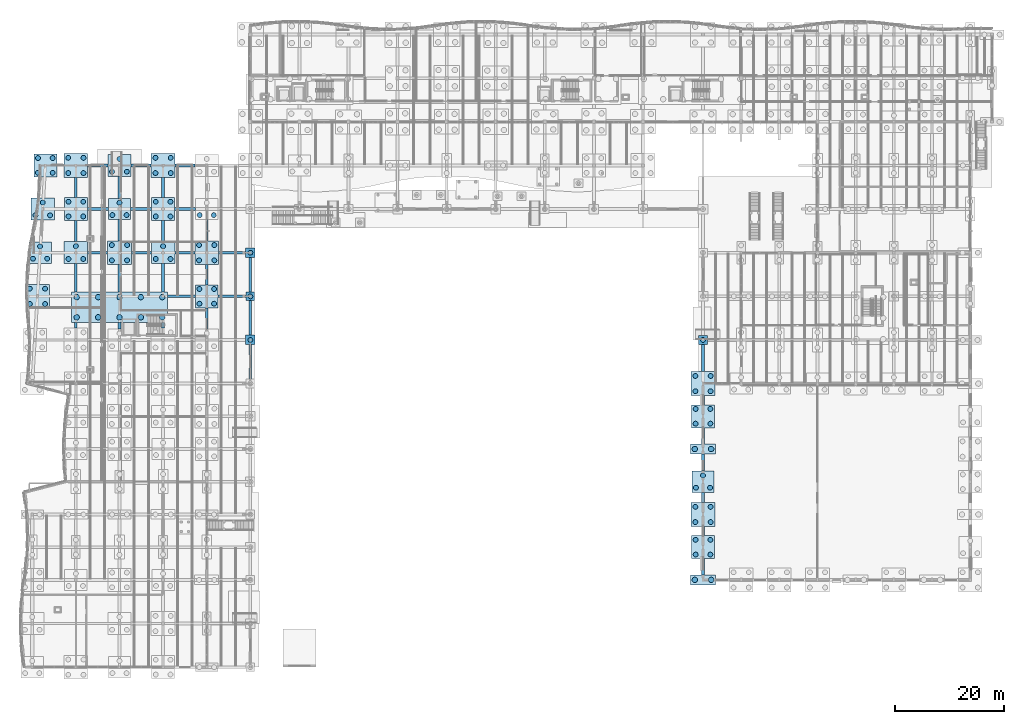
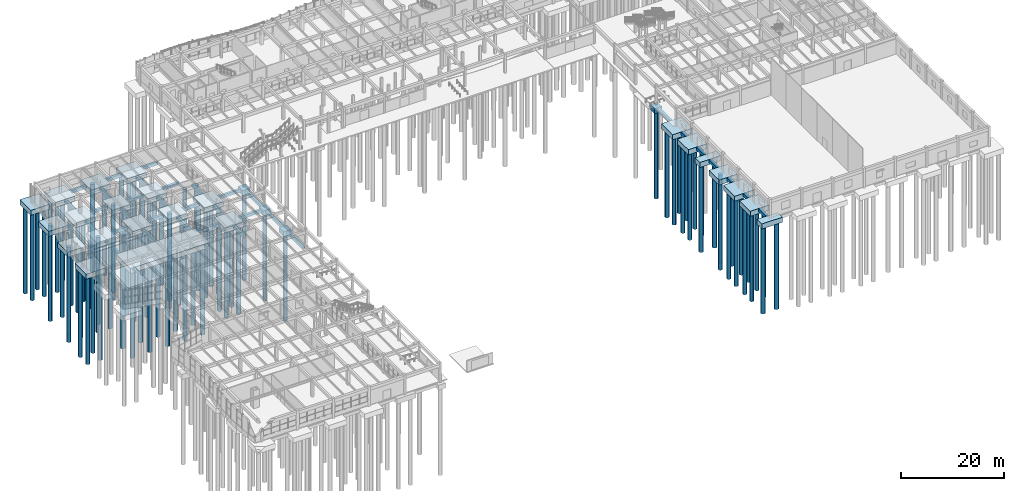
# One storey, part 3 of 99: 93 piles, 64 footings.
"""IFC4 building model written with IfcOpenShell, lengths in metres."""

from ifc_helpers import new_model, si_unit, direction, frame, origin, origin_2d, place, context, subcontext, project, spatial, rectangle, circle, extrude, material, material_profile, profile_set, type_object, element, save


model = new_model("IFC4")

# Units and contexts
model_context = context("Model", 3, precision=1e-05, world=origin(), true_north=direction((0.0, 1.0)))
body_context = subcontext(model_context, "Body", "Model", "MODEL_VIEW")
ifc_project = project(units=[si_unit("LENGTHUNIT", "METRE"), si_unit("AREAUNIT", "SQUARE_METRE"), si_unit("VOLUMEUNIT", "CUBIC_METRE"), si_unit("PLANEANGLEUNIT", "RADIAN"), si_unit("MASSUNIT", "GRAM", prefix="KILO")], contexts=[model_context])

# Site, building, storey
site_placement = place(None, origin())
site = spatial("IfcSite", under=ifc_project, at=site_placement, CompositionType="ELEMENT")
building_placement = place(site_placement, origin())
building = spatial("IfcBuilding", under=site, at=building_placement, Name="Tonlespit Floodbar School", CompositionType="ELEMENT")
storey_placement = place(building_placement, origin())
storey = spatial("IfcBuildingStorey", under=building, at=storey_placement, Name="L00", CompositionType="ELEMENT", Elevation=0.0)

# Footings
ifc_material_1 = material(Name="Concrete C40/50", Category="concrete")
footing_type_1 = type_object("IfcFootingType", Name="FootingBeam_RC_500x700", PredefinedType="FOOTING_BEAM", material=ifc_material_1)
for number, where, z_axis, x_axis, name in (
    (1, (31.35009765625, 72.0, -0.89990234375), (0.0, 0.0, 1.0), (1.0, 0.0, 0.0), "Ground tie beam FB-065"),
    (2, (40.64990234375, 72.0, -0.89990234375), (0.0, 0.0, 1.0), (1.0, 0.0, 0.0), "Ground tie beam FB-066"),
):
    element("IfcFooting", number, at=place(storey_placement, frame(where, z_axis=z_axis, x_axis=x_axis)), inside=storey, type_object=footing_type_1, Name=name, PredefinedType="FOOTING_BEAM", context=body_context, shape_type="SweptSolid", body=[
        extrude(rectangle(XDim=5.10009765625, YDim=0.5, at=origin_2d()), origin(), (0.0, 0.0, 1.0), 0.699951171875),
    ])
for number, where, z_axis, x_axis, name in (
    (3, (15.987548828125, 80.0, -0.89990234375), (0.0, 0.0, 1.0), (1.0, 0.0, 0.0), "Ground tie beam FB-073"),
    (4, (24.012451171875, 80.0, -0.89990234375), (0.0, 0.0, 1.0), (1.0, 0.0, 0.0), "Ground tie beam FB-074"),
    (5, (31.987548828125, 80.0, -0.89990234375), (0.0, 0.0, 1.0), (1.0, 0.0, 0.0), "Ground tie beam FB-075"),
):
    element("IfcFooting", number, at=place(storey_placement, frame(where, z_axis=z_axis, x_axis=x_axis)), inside=storey, type_object=footing_type_1, Name=name, PredefinedType="FOOTING_BEAM", context=body_context, shape_type="SweptSolid", body=[
        extrude(rectangle(XDim=3.675048828125, YDim=0.5, at=origin_2d()), origin(), (0.0, 0.0, 1.0), 0.699951171875),
    ])
footing_1_placement = place(storey_placement, frame((40.64990234375, 80.0, -0.89990234375), z_axis=(0.0, 0.0, 1.0), x_axis=(1.0, 0.0, 0.0)))
element("IfcFooting", 6, at=footing_1_placement, inside=storey, type_object=footing_type_1, Name="Ground tie beam FB-076", PredefinedType="FOOTING_BEAM", context=body_context, shape_type="SweptSolid", body=[
    extrude(rectangle(XDim=4.949951171875, YDim=0.5, at=origin_2d()), origin(), (0.0, 0.0, 1.0), 0.699951171875),
])
for number, where, z_axis, x_axis, name in (
    (7, (16.02490234375, 88.0, -0.89990234375), (0.0, 0.0, 1.0), (1.0, 0.0, 0.0), "Ground tie beam FB-084"),
    (8, (23.97509765625, 88.0, -0.89990234375), (0.0, 0.0, 1.0), (1.0, 0.0, 0.0), "Ground tie beam FB-085"),
    (9, (32.02490234375, 88.0, -0.89990234375), (0.0, 0.0, 1.0), (1.0, 0.0, 0.0), "Ground tie beam FB-086"),
):
    element("IfcFooting", number, at=place(storey_placement, frame(where, z_axis=z_axis, x_axis=x_axis)), inside=storey, type_object=footing_type_1, Name=name, PredefinedType="FOOTING_BEAM", context=body_context, shape_type="SweptSolid", body=[
        extrude(rectangle(XDim=3.85009765625, YDim=0.5, at=origin_2d()), origin(), (0.0, 0.0, 1.0), 0.699951171875),
    ])
for number, where, z_axis, x_axis, name in (
    (10, (16.012451171875, 96.0, -0.89990234375), (0.0, 0.0, 1.0), (1.0, 0.0, 0.0), "Ground tie beam FB-101"),
    (11, (23.987548828125, 96.0, -0.89990234375), (0.0, 0.0, 1.0), (1.0, 0.0, 0.0), "Ground tie beam FB-102"),
    (12, (32.012451171875, 96.0, -0.89990234375), (0.0, 0.0, 1.0), (1.0, 0.0, 0.0), "Ground tie beam FB-103"),
):
    element("IfcFooting", number, at=place(storey_placement, frame(where, z_axis=z_axis, x_axis=x_axis)), inside=storey, type_object=footing_type_1, Name=name, PredefinedType="FOOTING_BEAM", context=body_context, shape_type="SweptSolid", body=[
        extrude(rectangle(XDim=3.675048828125, YDim=0.5, at=origin_2d()), origin(), (0.0, 0.0, 1.0), 0.699951171875),
    ])
footing_2_placement = place(storey_placement, frame((12.0, 66.6875, -0.89990234375), z_axis=(0.0, 0.0, 1.0), x_axis=(0.0, 1.0, 0.0)))
element("IfcFooting", 13, at=footing_2_placement, inside=storey, type_object=footing_type_1, Name="Ground tie beam FB-174", PredefinedType="FOOTING_BEAM", context=body_context, shape_type="SweptSolid", body=[
    extrude(rectangle(XDim=1.02490234375, YDim=0.5, at=origin_2d()), origin(), (0.0, 0.0, 1.0), 0.699951171875),
])
footing_3_placement = place(storey_placement, frame((12.0, 75.387451171875, -0.89990234375), z_axis=(0.0, 0.0, 1.0), x_axis=(0.0, 1.0, 0.0)))
element("IfcFooting", 14, at=footing_3_placement, inside=storey, type_object=footing_type_1, Name="Ground tie beam FB-175", PredefinedType="FOOTING_BEAM", context=body_context, shape_type="SweptSolid", body=[
    extrude(rectangle(XDim=5.175048828125, YDim=0.5, at=origin_2d()), origin(), (0.0, 0.0, 1.0), 0.699951171875),
])
footing_4_placement = place(storey_placement, frame((12.0, 83.96240234375, -0.89990234375), z_axis=(0.0, 0.0, 1.0), x_axis=(0.0, 1.0, 0.0)))
element("IfcFooting", 15, at=footing_4_placement, inside=storey, type_object=footing_type_1, Name="Ground tie beam FB-176", PredefinedType="FOOTING_BEAM", context=body_context, shape_type="SweptSolid", body=[
    extrude(rectangle(XDim=3.875, YDim=0.5, at=origin_2d()), origin(), (0.0, 0.0, 1.0), 0.699951171875),
])
footing_5_placement = place(storey_placement, frame((12.0, 91.96240234375, -0.89990234375), z_axis=(0.0, 0.0, 1.0), x_axis=(0.0, 1.0, 0.0)))
element("IfcFooting", 16, at=footing_5_placement, inside=storey, type_object=footing_type_1, Name="Ground tie beam FB-177", PredefinedType="FOOTING_BEAM", context=body_context, shape_type="SweptSolid", body=[
    extrude(rectangle(XDim=3.72509765625, YDim=0.5, at=origin_2d()), origin(), (0.0, 0.0, 1.0), 0.699951171875),
])
footing_6_placement = place(storey_placement, frame((20.0, 66.612548828125, -0.89990234375), z_axis=(0.0, 0.0, 1.0), x_axis=(0.0, 1.0, 0.0)))
element("IfcFooting", 17, at=footing_6_placement, inside=storey, type_object=footing_type_1, Name="Ground tie beam FB-187", PredefinedType="FOOTING_BEAM", context=body_context, shape_type="SweptSolid", body=[
    extrude(rectangle(XDim=1.175048828125, YDim=0.5, at=origin_2d()), origin(), (0.0, 0.0, 1.0), 0.699951171875),
])
footing_7_placement = place(storey_placement, frame((20.0, 75.3125, -0.89990234375), z_axis=(0.0, 0.0, 1.0), x_axis=(0.0, 1.0, 0.0)))
element("IfcFooting", 18, at=footing_7_placement, inside=storey, type_object=footing_type_1, Name="Ground tie beam FB-188", PredefinedType="FOOTING_BEAM", context=body_context, shape_type="SweptSolid", body=[
    extrude(rectangle(XDim=5.02490234375, YDim=0.5, at=origin_2d()), origin(), (0.0, 0.0, 1.0), 0.699951171875),
])
footing_8_placement = place(storey_placement, frame((20.0, 84.112548828125, -0.89990234375), z_axis=(0.0, 0.0, 1.0), x_axis=(0.0, 1.0, 0.0)))
element("IfcFooting", 19, at=footing_8_placement, inside=storey, type_object=footing_type_1, Name="Ground tie beam FB-189", PredefinedType="FOOTING_BEAM", context=body_context, shape_type="SweptSolid", body=[
    extrude(rectangle(XDim=3.875, YDim=0.5, at=origin_2d()), origin(), (0.0, 0.0, 1.0), 0.699951171875),
])
footing_9_placement = place(storey_placement, frame((20.0, 91.96240234375, -0.89990234375), z_axis=(0.0, 0.0, 1.0), x_axis=(0.0, 1.0, 0.0)))
element("IfcFooting", 20, at=footing_9_placement, inside=storey, type_object=footing_type_1, Name="Ground tie beam FB-190", PredefinedType="FOOTING_BEAM", context=body_context, shape_type="SweptSolid", body=[
    extrude(rectangle(XDim=4.02490234375, YDim=0.5, at=origin_2d()), origin(), (0.0, 0.0, 1.0), 0.699951171875),
])
footing_10_placement = place(storey_placement, frame((28.0, 66.6875, -0.89990234375), z_axis=(0.0, 0.0, 1.0), x_axis=(0.0, 1.0, 0.0)))
element("IfcFooting", 21, at=footing_10_placement, inside=storey, type_object=footing_type_1, Name="Ground tie beam FB-200", PredefinedType="FOOTING_BEAM", context=body_context, shape_type="SweptSolid", body=[
    extrude(rectangle(XDim=1.02490234375, YDim=0.5, at=origin_2d()), origin(), (0.0, 0.0, 1.0), 0.699951171875),
])
footing_11_placement = place(storey_placement, frame((28.0, 75.387451171875, -0.89990234375), z_axis=(0.0, 0.0, 1.0), x_axis=(0.0, 1.0, 0.0)))
element("IfcFooting", 22, at=footing_11_placement, inside=storey, type_object=footing_type_1, Name="Ground tie beam FB-201", PredefinedType="FOOTING_BEAM", context=body_context, shape_type="SweptSolid", body=[
    extrude(rectangle(XDim=5.175048828125, YDim=0.5, at=origin_2d()), origin(), (0.0, 0.0, 1.0), 0.699951171875),
])
footing_12_placement = place(storey_placement, frame((28.0, 83.96240234375, -0.89990234375), z_axis=(0.0, 0.0, 1.0), x_axis=(0.0, 1.0, 0.0)))
element("IfcFooting", 23, at=footing_12_placement, inside=storey, type_object=footing_type_1, Name="Ground tie beam FB-202", PredefinedType="FOOTING_BEAM", context=body_context, shape_type="SweptSolid", body=[
    extrude(rectangle(XDim=3.875, YDim=0.5, at=origin_2d()), origin(), (0.0, 0.0, 1.0), 0.699951171875),
])
footing_13_placement = place(storey_placement, frame((28.0, 91.96240234375, -0.89990234375), z_axis=(0.0, 0.0, 1.0), x_axis=(0.0, 1.0, 0.0)))
element("IfcFooting", 24, at=footing_13_placement, inside=storey, type_object=footing_type_1, Name="Ground tie beam FB-203", PredefinedType="FOOTING_BEAM", context=body_context, shape_type="SweptSolid", body=[
    extrude(rectangle(XDim=3.72509765625, YDim=0.5, at=origin_2d()), origin(), (0.0, 0.0, 1.0), 0.699951171875),
])
footing_14_placement = place(storey_placement, frame((36.0, 67.96240234375, -0.89990234375), z_axis=(0.0, 0.0, 1.0), x_axis=(0.0, 1.0, 0.0)))
element("IfcFooting", 25, at=footing_14_placement, inside=storey, type_object=footing_type_1, Name="Ground tie beam FB-213", PredefinedType="FOOTING_BEAM", context=body_context, shape_type="SweptSolid", body=[
    extrude(rectangle(XDim=3.875, YDim=0.5, at=origin_2d()), origin(), (0.0, 0.0, 1.0), 0.699951171875),
])
footing_15_placement = place(storey_placement, frame((36.0, 75.96240234375, -0.89990234375), z_axis=(0.0, 0.0, 1.0), x_axis=(0.0, 1.0, 0.0)))
element("IfcFooting", 26, at=footing_15_placement, inside=storey, type_object=footing_type_1, Name="Ground tie beam FB-214", PredefinedType="FOOTING_BEAM", context=body_context, shape_type="SweptSolid", body=[
    extrude(rectangle(XDim=3.72509765625, YDim=0.5, at=origin_2d()), origin(), (0.0, 0.0, 1.0), 0.699951171875),
])
footing_16_placement = place(storey_placement, frame((36.0, 84.112548828125, -0.89990234375), z_axis=(0.0, 0.0, 1.0), x_axis=(0.0, 1.0, 0.0)))
element("IfcFooting", 27, at=footing_16_placement, inside=storey, type_object=footing_type_1, Name="Ground tie beam FB-215", PredefinedType="FOOTING_BEAM", context=body_context, shape_type="SweptSolid", body=[
    extrude(rectangle(XDim=3.875, YDim=0.5, at=origin_2d()), origin(), (0.0, 0.0, 1.0), 0.699951171875),
])
for number, where, z_axis, x_axis, name in (
    (28, (44.0, 59.96240234375, -0.89990234375), (0.0, 0.0, 1.0), (0.0, 1.0, 0.0), "Ground tie beam FB-225"),
    (29, (44.0, 68.03759765625, -0.89990234375), (0.0, 0.0, 1.0), (0.0, 1.0, 0.0), "Ground tie beam FB-226"),
    (30, (44.0, 75.96240234375, -0.89990234375), (0.0, 0.0, 1.0), (0.0, 1.0, 0.0), "Ground tie beam FB-227"),
):
    element("IfcFooting", number, at=place(storey_placement, frame(where, z_axis=z_axis, x_axis=x_axis)), inside=storey, type_object=footing_type_1, Name=name, PredefinedType="FOOTING_BEAM", context=body_context, shape_type="SweptSolid", body=[
        extrude(rectangle(XDim=6.324951171875, YDim=0.5, at=origin_2d()), origin(), (0.0, 0.0, 1.0), 0.699951171875),
    ])
footing_type_2 = type_object("IfcFootingType", Name="PileCap_1P_1600", PredefinedType="PILE_CAP", material=ifc_material_1)
for number, where, z_axis, x_axis, name in (
    (31, (44.0, 72.0, -1.39990234375), (0.0, 0.0, 1.0), (1.0, 0.0, 0.0), "Pile cap FC-077 at U06/V11"),
    (32, (127.0, 64.0, -1.39990234375), (0.0, 0.0, 1.0), (1.0, 0.0, 0.0), "Pile cap FC-131 at U15/V10"),
):
    element("IfcFooting", number, at=place(storey_placement, frame(where, z_axis=z_axis, x_axis=x_axis)), inside=storey, type_object=footing_type_2, Name=name, PredefinedType="PILE_CAP", context=body_context, shape_type="SweptSolid", body=[
        extrude(rectangle(XDim=1.60009765625, YDim=1.60009765625, at=origin_2d()), origin(), (0.0, 0.0, 1.0), 1.199951171875),
    ])
footing_type_3 = type_object("IfcFootingType", Name="PileCap_1P_1750", PredefinedType="PILE_CAP", material=ifc_material_1)
for number, where, z_axis, x_axis, name in (
    (33, (44.0, 64.0, -1.39990234375), (0.0, 0.0, 1.0), (1.0, 0.0, 0.0), "Pile cap FC-076 at U06/V10"),
    (34, (44.0, 80.0, -1.39990234375), (0.0, 0.0, 1.0), (1.0, 0.0, 0.0), "Pile cap FC-078 at U06/V12"),
):
    element("IfcFooting", number, at=place(storey_placement, frame(where, z_axis=z_axis, x_axis=x_axis)), inside=storey, type_object=footing_type_3, Name=name, PredefinedType="PILE_CAP", context=body_context, shape_type="SweptSolid", body=[
        extrude(rectangle(XDim=1.75, YDim=1.75, at=origin_2d()), origin(), (0.0, 0.0, 1.0), 1.199951171875),
    ])
footing_type_4 = type_object("IfcFootingType", Name="PileCap_2PX_4600x1850", PredefinedType="PILE_CAP", material=ifc_material_1)
for number, where, z_axis, x_axis, name in (
    (35, (127.0, 20.0, -1.39990234375), (0.0, 0.0, 1.0), (1.0, 0.0, 0.0), "Pile cap FC-124 at U15/V03"),
    (36, (127.0, 44.0, -1.39990234375), (0.0, 0.0, 1.0), (1.0, 0.0, 0.0), "Pile cap FC-128 at U15/V07"),
):
    element("IfcFooting", number, at=place(storey_placement, frame(where, z_axis=z_axis, x_axis=x_axis)), inside=storey, type_object=footing_type_4, Name=name, PredefinedType="PILE_CAP", context=body_context, shape_type="SweptSolid", body=[
        extrude(rectangle(XDim=4.60009765625, YDim=1.85009765625, at=origin_2d()), origin(), (0.0, 0.0, 1.0), 1.199951171875),
    ])
footing_type_5 = type_object("IfcFootingType", Name="PileCap_3P_4100x3900", PredefinedType="PILE_CAP", material=ifc_material_1)
for number, where, z_axis, x_axis, name in (
    (37, (5.43994140625, 80.0, -1.39990234375), (0.0, 0.0, 1.0), (1.0, 0.0, 0.0), "Pile cap FC-009 at U01S/V12"),
    (38, (20.0, 88.0, -1.39990234375), (0.0, 0.0, 1.0), (1.0, 0.0, 0.0), "Pile cap FC-037 at U03/V13"),
    (39, (127.0, 38.0, -1.39990234375), (0.0, 0.0, 1.0), (1.0, 0.0, 0.0), "Pile cap FC-127 at U15/V06"),
):
    element("IfcFooting", number, at=place(storey_placement, frame(where, z_axis=z_axis, x_axis=x_axis)), inside=storey, type_object=footing_type_5, Name=name, PredefinedType="PILE_CAP", context=body_context, shape_type="SweptSolid", body=[
        extrude(rectangle(XDim=4.10009765625, YDim=3.89990234375, at=origin_2d()), origin(), (0.0, 0.0, 1.0), 1.199951171875),
    ])
footing_type_6 = type_object("IfcFootingType", Name="PileCap_3P_4300x4050", PredefinedType="PILE_CAP", material=ifc_material_1)
for number, where, z_axis, x_axis, name in (
    (40, (5.919921875, 88.0, -1.39990234375), (0.0, 0.0, 1.0), (1.0, 0.0, 0.0), "Pile cap FC-010 at U01S/V13"),
    (41, (12.0, 80.0, -1.39990234375), (0.0, 0.0, 1.0), (1.0, 0.0, 0.0), "Pile cap FC-022 at U02/V12"),
    (42, (20.0, 96.0, -1.39990234375), (0.0, 0.0, 1.0), (1.0, 0.0, 0.0), "Pile cap FC-038 at U03/V14"),
    (43, (28.0, 80.0, -1.39990234375), (0.0, 0.0, 1.0), (1.0, 0.0, 0.0), "Pile cap FC-050 at U04/V12"),
):
    element("IfcFooting", number, at=place(storey_placement, frame(where, z_axis=z_axis, x_axis=x_axis)), inside=storey, type_object=footing_type_6, Name=name, PredefinedType="PILE_CAP", context=body_context, shape_type="SweptSolid", body=[
        extrude(rectangle(XDim=4.300048828125, YDim=4.050048828125, at=origin_2d()), origin(), (0.0, 0.0, 1.0), 1.199951171875),
    ])
footing_type_7 = type_object("IfcFootingType", Name="PileCap_4P_4200x4200", PredefinedType="PILE_CAP", material=ifc_material_1)
for number, where, z_axis, x_axis, name in (
    (44, (6.39990234375, 96.0, -1.39990234375), (0.0, 0.0, 1.0), (1.0, 0.0, 0.0), "Pile cap FC-011 at U01S/V14"),
    (45, (12.0, 88.0, -1.39990234375), (0.0, 0.0, 1.0), (1.0, 0.0, 0.0), "Pile cap FC-023 at U02/V13"),
    (46, (28.0, 88.0, -1.39990234375), (0.0, 0.0, 1.0), (1.0, 0.0, 0.0), "Pile cap FC-051 at U04/V13"),
    (47, (36.0, 72.0, -1.39990234375), (0.0, 0.0, 1.0), (1.0, 0.0, 0.0), "Pile cap FC-063 at U05/V11"),
    (48, (127.0, 26.0, -1.39990234375), (0.0, 0.0, 1.0), (1.0, 0.0, 0.0), "Pile cap FC-125 at U15/V04"),
    (49, (127.0, 50.0, -1.39990234375), (0.0, 0.0, 1.0), (1.0, 0.0, 0.0), "Pile cap FC-129 at U15/V08"),
):
    element("IfcFooting", number, at=place(storey_placement, frame(where, z_axis=z_axis, x_axis=x_axis)), inside=storey, type_object=footing_type_7, Name=name, PredefinedType="PILE_CAP", context=body_context, shape_type="SweptSolid", body=[
        extrude(rectangle(XDim=4.199951171875, YDim=4.199951171875, at=origin_2d()), origin(), (0.0, 0.0, 1.0), 1.199951171875),
    ])
footing_type_8 = type_object("IfcFootingType", Name="PileCap_4P_4350x4350", PredefinedType="PILE_CAP", material=ifc_material_1)
for number, where, z_axis, x_axis, name in (
    (50, (4.9599609375, 72.0, -1.39990234375), (0.0, 0.0, 1.0), (1.0, 0.0, 0.0), "Pile cap FC-008 at U01S/V11"),
    (51, (12.0, 96.0, -1.39990234375), (0.0, 0.0, 1.0), (1.0, 0.0, 0.0), "Pile cap FC-024 at U02/V14"),
    (52, (20.0, 80.0, -1.39990234375), (0.0, 0.0, 1.0), (1.0, 0.0, 0.0), "Pile cap FC-036 at U03/V12"),
    (53, (28.0, 96.0, -1.39990234375), (0.0, 0.0, 1.0), (1.0, 0.0, 0.0), "Pile cap FC-052 at U04/V14"),
    (54, (36.0, 80.0, -1.39990234375), (0.0, 0.0, 1.0), (1.0, 0.0, 0.0), "Pile cap FC-064 at U05/V12"),
    (55, (127.0, 32.0, -1.39990234375), (0.0, 0.0, 1.0), (1.0, 0.0, 0.0), "Pile cap FC-126 at U15/V05"),
    (56, (127.0, 56.0, -1.39990234375), (0.0, 0.0, 1.0), (1.0, 0.0, 0.0), "Pile cap FC-130 at U15/V09"),
):
    element("IfcFooting", number, at=place(storey_placement, frame(where, z_axis=z_axis, x_axis=x_axis)), inside=storey, type_object=footing_type_8, Name=name, PredefinedType="PILE_CAP", context=body_context, shape_type="SweptSolid", body=[
        extrude(rectangle(XDim=4.35009765625, YDim=4.35009765625, at=origin_2d()), origin(), (0.0, 0.0, 1.0), 1.199951171875),
    ])
footing_type_9 = type_object("IfcFootingType", Name="PileCap_Core_C3", PredefinedType="PILE_CAP", material=ifc_material_1)
footing_17_placement = place(storey_placement, frame((20.0, 70.0, -1.39990234375), z_axis=(0.0, 0.0, 1.0), x_axis=(1.0, 0.0, 0.0)))
element("IfcFooting", 57, at=footing_17_placement, inside=storey, type_object=footing_type_9, Name="Core C3 pile cap", PredefinedType="PILE_CAP", context=body_context, shape_type="SweptSolid", body=[
    extrude(rectangle(XDim=17.60009765625, YDim=5.60009765625, at=origin_2d()), origin(), (0.0, 0.0, 1.0), 1.199951171875),
])

# Piles
ifc_material_2 = material(Name="Concrete C35/45", Category="concrete")
ifc_material_profile_1 = material_profile(ifc_material_2, circle(Radius=0.5, at=origin_2d()), Name="BP D1000")
ifc_profile_set_1 = profile_set([ifc_material_profile_1], Name="Concrete C35/45")
pile_type_1 = type_object("IfcPileType", Name="Pile_RC_D1000", PredefinedType="BORED", material=ifc_profile_set_1)
for number, where, z_axis, x_axis, name in (
    (58, (12.14990234375, 68.14990234375, -1.300048828125), (0.0, 0.0, -1.0), (1.0, 0.0, 0.0), "Bored pile PL-0023"),
    (59, (12.14990234375, 71.85009765625, -1.300048828125), (0.0, 0.0, -1.0), (1.0, 0.0, 0.0), "Bored pile PL-0024"),
    (60, (16.074951171875, 68.14990234375, -1.300048828125), (0.0, 0.0, -1.0), (1.0, 0.0, 0.0), "Bored pile PL-0025"),
    (61, (16.074951171875, 71.85009765625, -1.300048828125), (0.0, 0.0, -1.0), (1.0, 0.0, 0.0), "Bored pile PL-0026"),
    (62, (20.0, 68.14990234375, -1.300048828125), (0.0, 0.0, -1.0), (1.0, 0.0, 0.0), "Bored pile PL-0027"),
    (63, (20.0, 71.85009765625, -1.300048828125), (0.0, 0.0, -1.0), (1.0, 0.0, 0.0), "Bored pile PL-0028"),
    (64, (23.925048828125, 68.14990234375, -1.300048828125), (0.0, 0.0, -1.0), (1.0, 0.0, 0.0), "Bored pile PL-0029"),
    (65, (23.925048828125, 71.85009765625, -1.300048828125), (0.0, 0.0, -1.0), (1.0, 0.0, 0.0), "Bored pile PL-0030"),
    (66, (27.85009765625, 68.14990234375, -1.300048828125), (0.0, 0.0, -1.0), (1.0, 0.0, 0.0), "Bored pile PL-0031"),
    (67, (27.85009765625, 71.85009765625, -1.300048828125), (0.0, 0.0, -1.0), (1.0, 0.0, 0.0), "Bored pile PL-0032"),
    (68, (125.5, 20.0, -1.300048828125), (0.0, 0.0, -1.0), (1.0, 0.0, 0.0), "Bored pile PL-0376"),
    (69, (128.5, 20.0, -1.300048828125), (0.0, 0.0, -1.0), (1.0, 0.0, 0.0), "Bored pile PL-0377"),
    (70, (125.5, 44.0, -1.300048828125), (0.0, 0.0, -1.0), (1.0, 0.0, 0.0), "Bored pile PL-0389"),
    (71, (128.5, 44.0, -1.300048828125), (0.0, 0.0, -1.0), (1.0, 0.0, 0.0), "Bored pile PL-0390"),
):
    element("IfcPile", number, at=place(storey_placement, frame(where, z_axis=z_axis, x_axis=x_axis)), inside=storey, type_object=pile_type_1, Name=name, PredefinedType="BORED", context=body_context, shape_type="SweptSolid", body=[
        extrude(circle(Radius=0.5, at=origin_2d()), origin(), (0.0, 0.0, 1.0), 20.699951171875),
    ])
ifc_material_profile_2 = material_profile(ifc_material_2, circle(Radius=0.449951171875, at=origin_2d()), Name="BP D900")
ifc_profile_set_2 = profile_set([ifc_material_profile_2], Name="Concrete C35/45")
pile_type_2 = type_object("IfcPileType", Name="Pile_RC_D900", PredefinedType="BORED", material=ifc_profile_set_2)
for number, where, z_axis, x_axis, name in (
    (72, (3.56005859375, 70.60009765625, -1.300048828125), (0.0, 0.0, -1.0), (1.0, 0.0, 0.0), "Bored pile PL-0072"),
    (73, (6.360107421875, 70.60009765625, -1.300048828125), (0.0, 0.0, -1.0), (1.0, 0.0, 0.0), "Bored pile PL-0073"),
    (74, (3.56005859375, 73.39990234375, -1.300048828125), (0.0, 0.0, -1.0), (1.0, 0.0, 0.0), "Bored pile PL-0074"),
    (75, (6.360107421875, 73.39990234375, -1.300048828125), (0.0, 0.0, -1.0), (1.0, 0.0, 0.0), "Bored pile PL-0075"),
    (76, (4.139892578125, 78.89990234375, -1.300048828125), (0.0, 0.0, -1.0), (1.0, 0.0, 0.0), "Bored pile PL-0076"),
    (77, (6.739990234375, 78.89990234375, -1.300048828125), (0.0, 0.0, -1.0), (1.0, 0.0, 0.0), "Bored pile PL-0077"),
    (78, (5.43994140625, 81.14990234375, -1.300048828125), (0.0, 0.0, -1.0), (1.0, 0.0, 0.0), "Bored pile PL-0078"),
    (79, (4.570068359375, 86.85009765625, -1.300048828125), (0.0, 0.0, -1.0), (1.0, 0.0, 0.0), "Bored pile PL-0079"),
    (80, (7.27001953125, 86.85009765625, -1.300048828125), (0.0, 0.0, -1.0), (1.0, 0.0, 0.0), "Bored pile PL-0080"),
    (81, (5.919921875, 89.199951171875, -1.300048828125), (0.0, 0.0, -1.0), (1.0, 0.0, 0.0), "Bored pile PL-0081"),
    (82, (5.050048828125, 94.64990234375, -1.300048828125), (0.0, 0.0, -1.0), (1.0, 0.0, 0.0), "Bored pile PL-0082"),
    (83, (7.75, 94.64990234375, -1.300048828125), (0.0, 0.0, -1.0), (1.0, 0.0, 0.0), "Bored pile PL-0083"),
    (84, (5.050048828125, 97.35009765625, -1.300048828125), (0.0, 0.0, -1.0), (1.0, 0.0, 0.0), "Bored pile PL-0084"),
    (85, (7.75, 97.35009765625, -1.300048828125), (0.0, 0.0, -1.0), (1.0, 0.0, 0.0), "Bored pile PL-0085"),
    (86, (10.64990234375, 78.85009765625, -1.300048828125), (0.0, 0.0, -1.0), (1.0, 0.0, 0.0), "Bored pile PL-0113"),
    (87, (13.35009765625, 78.85009765625, -1.300048828125), (0.0, 0.0, -1.0), (1.0, 0.0, 0.0), "Bored pile PL-0114"),
    (88, (12.0, 81.199951171875, -1.300048828125), (0.0, 0.0, -1.0), (1.0, 0.0, 0.0), "Bored pile PL-0115"),
    (89, (10.64990234375, 86.64990234375, -1.300048828125), (0.0, 0.0, -1.0), (1.0, 0.0, 0.0), "Bored pile PL-0116"),
    (90, (13.35009765625, 86.64990234375, -1.300048828125), (0.0, 0.0, -1.0), (1.0, 0.0, 0.0), "Bored pile PL-0117"),
    (91, (10.64990234375, 89.35009765625, -1.300048828125), (0.0, 0.0, -1.0), (1.0, 0.0, 0.0), "Bored pile PL-0118"),
    (92, (13.35009765625, 89.35009765625, -1.300048828125), (0.0, 0.0, -1.0), (1.0, 0.0, 0.0), "Bored pile PL-0119"),
    (93, (10.60009765625, 94.60009765625, -1.300048828125), (0.0, 0.0, -1.0), (1.0, 0.0, 0.0), "Bored pile PL-0120"),
    (94, (13.39990234375, 94.60009765625, -1.300048828125), (0.0, 0.0, -1.0), (1.0, 0.0, 0.0), "Bored pile PL-0121"),
    (95, (10.60009765625, 97.39990234375, -1.300048828125), (0.0, 0.0, -1.0), (1.0, 0.0, 0.0), "Bored pile PL-0122"),
    (96, (13.39990234375, 97.39990234375, -1.300048828125), (0.0, 0.0, -1.0), (1.0, 0.0, 0.0), "Bored pile PL-0123"),
    (97, (18.60009765625, 78.60009765625, -1.300048828125), (0.0, 0.0, -1.0), (1.0, 0.0, 0.0), "Bored pile PL-0154"),
    (98, (21.39990234375, 78.60009765625, -1.300048828125), (0.0, 0.0, -1.0), (1.0, 0.0, 0.0), "Bored pile PL-0155"),
    (99, (18.60009765625, 81.39990234375, -1.300048828125), (0.0, 0.0, -1.0), (1.0, 0.0, 0.0), "Bored pile PL-0156"),
    (100, (21.39990234375, 81.39990234375, -1.300048828125), (0.0, 0.0, -1.0), (1.0, 0.0, 0.0), "Bored pile PL-0157"),
    (101, (18.699951171875, 86.89990234375, -1.300048828125), (0.0, 0.0, -1.0), (1.0, 0.0, 0.0), "Bored pile PL-0158"),
    (102, (21.300048828125, 86.89990234375, -1.300048828125), (0.0, 0.0, -1.0), (1.0, 0.0, 0.0), "Bored pile PL-0159"),
    (103, (20.0, 89.14990234375, -1.300048828125), (0.0, 0.0, -1.0), (1.0, 0.0, 0.0), "Bored pile PL-0160"),
    (104, (18.64990234375, 94.85009765625, -1.300048828125), (0.0, 0.0, -1.0), (1.0, 0.0, 0.0), "Bored pile PL-0161"),
    (105, (21.35009765625, 94.85009765625, -1.300048828125), (0.0, 0.0, -1.0), (1.0, 0.0, 0.0), "Bored pile PL-0162"),
    (106, (20.0, 97.199951171875, -1.300048828125), (0.0, 0.0, -1.0), (1.0, 0.0, 0.0), "Bored pile PL-0163"),
    (107, (26.64990234375, 78.85009765625, -1.300048828125), (0.0, 0.0, -1.0), (1.0, 0.0, 0.0), "Bored pile PL-0195"),
    (108, (29.35009765625, 78.85009765625, -1.300048828125), (0.0, 0.0, -1.0), (1.0, 0.0, 0.0), "Bored pile PL-0196"),
    (109, (28.0, 81.199951171875, -1.300048828125), (0.0, 0.0, -1.0), (1.0, 0.0, 0.0), "Bored pile PL-0197"),
    (110, (26.64990234375, 86.64990234375, -1.300048828125), (0.0, 0.0, -1.0), (1.0, 0.0, 0.0), "Bored pile PL-0198"),
    (111, (29.35009765625, 86.64990234375, -1.300048828125), (0.0, 0.0, -1.0), (1.0, 0.0, 0.0), "Bored pile PL-0199"),
    (112, (26.64990234375, 89.35009765625, -1.300048828125), (0.0, 0.0, -1.0), (1.0, 0.0, 0.0), "Bored pile PL-0200"),
    (113, (29.35009765625, 89.35009765625, -1.300048828125), (0.0, 0.0, -1.0), (1.0, 0.0, 0.0), "Bored pile PL-0201"),
    (114, (26.60009765625, 94.60009765625, -1.300048828125), (0.0, 0.0, -1.0), (1.0, 0.0, 0.0), "Bored pile PL-0202"),
    (115, (29.39990234375, 94.60009765625, -1.300048828125), (0.0, 0.0, -1.0), (1.0, 0.0, 0.0), "Bored pile PL-0203"),
    (116, (26.60009765625, 97.39990234375, -1.300048828125), (0.0, 0.0, -1.0), (1.0, 0.0, 0.0), "Bored pile PL-0204"),
    (117, (29.39990234375, 97.39990234375, -1.300048828125), (0.0, 0.0, -1.0), (1.0, 0.0, 0.0), "Bored pile PL-0205"),
    (118, (34.64990234375, 70.64990234375, -1.300048828125), (0.0, 0.0, -1.0), (1.0, 0.0, 0.0), "Bored pile PL-0232"),
    (119, (37.35009765625, 70.64990234375, -1.300048828125), (0.0, 0.0, -1.0), (1.0, 0.0, 0.0), "Bored pile PL-0233"),
    (120, (34.64990234375, 73.35009765625, -1.300048828125), (0.0, 0.0, -1.0), (1.0, 0.0, 0.0), "Bored pile PL-0234"),
    (121, (37.35009765625, 73.35009765625, -1.300048828125), (0.0, 0.0, -1.0), (1.0, 0.0, 0.0), "Bored pile PL-0235"),
    (122, (34.60009765625, 78.60009765625, -1.300048828125), (0.0, 0.0, -1.0), (1.0, 0.0, 0.0), "Bored pile PL-0236"),
    (123, (37.39990234375, 78.60009765625, -1.300048828125), (0.0, 0.0, -1.0), (1.0, 0.0, 0.0), "Bored pile PL-0237"),
    (124, (34.60009765625, 81.39990234375, -1.300048828125), (0.0, 0.0, -1.0), (1.0, 0.0, 0.0), "Bored pile PL-0238"),
    (125, (37.39990234375, 81.39990234375, -1.300048828125), (0.0, 0.0, -1.0), (1.0, 0.0, 0.0), "Bored pile PL-0239"),
    (126, (34.699951171875, 86.89990234375, -1.300048828125), (0.0, 0.0, -1.0), (1.0, 0.0, 0.0), "Bored pile PL-0240"),
    (127, (37.300048828125, 86.89990234375, -1.300048828125), (0.0, 0.0, -1.0), (1.0, 0.0, 0.0), "Bored pile PL-0241"),
    (128, (44.0, 64.0, -1.300048828125), (0.0, 0.0, -1.0), (1.0, 0.0, 0.0), "Bored pile PL-0255"),
    (129, (44.0, 72.0, -1.300048828125), (0.0, 0.0, -1.0), (1.0, 0.0, 0.0), "Bored pile PL-0256"),
    (130, (44.0, 80.0, -1.300048828125), (0.0, 0.0, -1.0), (1.0, 0.0, 0.0), "Bored pile PL-0257"),
    (131, (125.64990234375, 24.64990234375, -1.300048828125), (0.0, 0.0, -1.0), (1.0, 0.0, 0.0), "Bored pile PL-0378"),
    (132, (128.35009765625, 24.64990234375, -1.300048828125), (0.0, 0.0, -1.0), (1.0, 0.0, 0.0), "Bored pile PL-0379"),
    (133, (125.64990234375, 27.35009765625, -1.300048828125), (0.0, 0.0, -1.0), (1.0, 0.0, 0.0), "Bored pile PL-0380"),
    (134, (128.35009765625, 27.35009765625, -1.300048828125), (0.0, 0.0, -1.0), (1.0, 0.0, 0.0), "Bored pile PL-0381"),
    (135, (125.60009765625, 30.60009765625, -1.300048828125), (0.0, 0.0, -1.0), (1.0, 0.0, 0.0), "Bored pile PL-0382"),
    (136, (128.39990234375, 30.60009765625, -1.300048828125), (0.0, 0.0, -1.0), (1.0, 0.0, 0.0), "Bored pile PL-0383"),
    (137, (125.60009765625, 33.39990234375, -1.300048828125), (0.0, 0.0, -1.0), (1.0, 0.0, 0.0), "Bored pile PL-0384"),
    (138, (128.39990234375, 33.39990234375, -1.300048828125), (0.0, 0.0, -1.0), (1.0, 0.0, 0.0), "Bored pile PL-0385"),
    (139, (125.699951171875, 36.89990234375, -1.300048828125), (0.0, 0.0, -1.0), (1.0, 0.0, 0.0), "Bored pile PL-0386"),
    (140, (128.300048828125, 36.89990234375, -1.300048828125), (0.0, 0.0, -1.0), (1.0, 0.0, 0.0), "Bored pile PL-0387"),
    (141, (127.0, 39.14990234375, -1.300048828125), (0.0, 0.0, -1.0), (1.0, 0.0, 0.0), "Bored pile PL-0388"),
    (142, (125.64990234375, 48.64990234375, -1.300048828125), (0.0, 0.0, -1.0), (1.0, 0.0, 0.0), "Bored pile PL-0391"),
    (143, (128.35009765625, 48.64990234375, -1.300048828125), (0.0, 0.0, -1.0), (1.0, 0.0, 0.0), "Bored pile PL-0392"),
    (144, (125.64990234375, 51.35009765625, -1.300048828125), (0.0, 0.0, -1.0), (1.0, 0.0, 0.0), "Bored pile PL-0393"),
    (145, (128.35009765625, 51.35009765625, -1.300048828125), (0.0, 0.0, -1.0), (1.0, 0.0, 0.0), "Bored pile PL-0394"),
    (146, (125.60009765625, 54.60009765625, -1.300048828125), (0.0, 0.0, -1.0), (1.0, 0.0, 0.0), "Bored pile PL-0395"),
    (147, (128.39990234375, 54.60009765625, -1.300048828125), (0.0, 0.0, -1.0), (1.0, 0.0, 0.0), "Bored pile PL-0396"),
    (148, (125.60009765625, 57.39990234375, -1.300048828125), (0.0, 0.0, -1.0), (1.0, 0.0, 0.0), "Bored pile PL-0397"),
    (149, (128.39990234375, 57.39990234375, -1.300048828125), (0.0, 0.0, -1.0), (1.0, 0.0, 0.0), "Bored pile PL-0398"),
    (150, (127.0, 64.0, -1.300048828125), (0.0, 0.0, -1.0), (1.0, 0.0, 0.0), "Bored pile PL-0399"),
):
    element("IfcPile", number, at=place(storey_placement, frame(where, z_axis=z_axis, x_axis=x_axis)), inside=storey, type_object=pile_type_2, Name=name, PredefinedType="BORED", context=body_context, shape_type="SweptSolid", body=[
        extrude(circle(Radius=0.449951171875, at=origin_2d()), origin(), (0.0, 0.0, 1.0), 20.699951171875),
    ])

# Footings
footing_type_10 = type_object("IfcFootingType", Name="StripFooting_RC_600x700", PredefinedType="STRIP_FOOTING", material=ifc_material_1)
footing_18_placement = place(storey_placement, frame((127.0, 22.41259765625, -0.89990234375), z_axis=(0.0, 0.0, 1.0), x_axis=(0.0, 1.0, 0.0)))
element("IfcFooting", 151, at=footing_18_placement, inside=storey, type_object=footing_type_10, Name="Ground tie beam FB-266", PredefinedType="STRIP_FOOTING", context=body_context, shape_type="SweptSolid", body=[
    extrude(rectangle(XDim=2.97509765625, YDim=0.60009765625, at=origin_2d()), origin(), (0.0, 0.0, 1.0), 0.699951171875),
])
footing_19_placement = place(storey_placement, frame((127.0, 28.96240234375, -0.89990234375), z_axis=(0.0, 0.0, 1.0), x_axis=(0.0, 1.0, 0.0)))
element("IfcFooting", 152, at=footing_19_placement, inside=storey, type_object=footing_type_10, Name="Ground tie beam FB-267", PredefinedType="STRIP_FOOTING", context=body_context, shape_type="SweptSolid", body=[
    extrude(rectangle(XDim=1.72509765625, YDim=0.60009765625, at=origin_2d()), origin(), (0.0, 0.0, 1.0), 0.699951171875),
])
footing_20_placement = place(storey_placement, frame((127.0, 35.112548828125, -0.89990234375), z_axis=(0.0, 0.0, 1.0), x_axis=(0.0, 1.0, 0.0)))
element("IfcFooting", 153, at=footing_20_placement, inside=storey, type_object=footing_type_10, Name="Ground tie beam FB-268", PredefinedType="STRIP_FOOTING", context=body_context, shape_type="SweptSolid", body=[
    extrude(rectangle(XDim=1.875, YDim=0.60009765625, at=origin_2d()), origin(), (0.0, 0.0, 1.0), 0.699951171875),
])
footing_21_placement = place(storey_placement, frame((127.0, 41.512451171875, -0.89990234375), z_axis=(0.0, 0.0, 1.0), x_axis=(0.0, 1.0, 0.0)))
element("IfcFooting", 154, at=footing_21_placement, inside=storey, type_object=footing_type_10, Name="Ground tie beam FB-269", PredefinedType="STRIP_FOOTING", context=body_context, shape_type="SweptSolid", body=[
    extrude(rectangle(XDim=3.125, YDim=0.60009765625, at=origin_2d()), origin(), (0.0, 0.0, 1.0), 0.699951171875),
])
footing_22_placement = place(storey_placement, frame((127.0, 46.41259765625, -0.89990234375), z_axis=(0.0, 0.0, 1.0), x_axis=(0.0, 1.0, 0.0)))
element("IfcFooting", 155, at=footing_22_placement, inside=storey, type_object=footing_type_10, Name="Ground tie beam FB-270", PredefinedType="STRIP_FOOTING", context=body_context, shape_type="SweptSolid", body=[
    extrude(rectangle(XDim=2.97509765625, YDim=0.60009765625, at=origin_2d()), origin(), (0.0, 0.0, 1.0), 0.699951171875),
])
footing_23_placement = place(storey_placement, frame((127.0, 52.96240234375, -0.89990234375), z_axis=(0.0, 0.0, 1.0), x_axis=(0.0, 1.0, 0.0)))
element("IfcFooting", 156, at=footing_23_placement, inside=storey, type_object=footing_type_10, Name="Ground tie beam FB-271", PredefinedType="STRIP_FOOTING", context=body_context, shape_type="SweptSolid", body=[
    extrude(rectangle(XDim=1.72509765625, YDim=0.60009765625, at=origin_2d()), origin(), (0.0, 0.0, 1.0), 0.699951171875),
])
footing_24_placement = place(storey_placement, frame((127.0, 60.6875, -0.89990234375), z_axis=(0.0, 0.0, 1.0), x_axis=(0.0, 1.0, 0.0)))
element("IfcFooting", 157, at=footing_24_placement, inside=storey, type_object=footing_type_10, Name="Ground tie beam FB-272", PredefinedType="STRIP_FOOTING", context=body_context, shape_type="SweptSolid", body=[
    extrude(rectangle(XDim=5.02490234375, YDim=0.60009765625, at=origin_2d()), origin(), (0.0, 0.0, 1.0), 0.699951171875),
])

save(model, "model.ifc")
